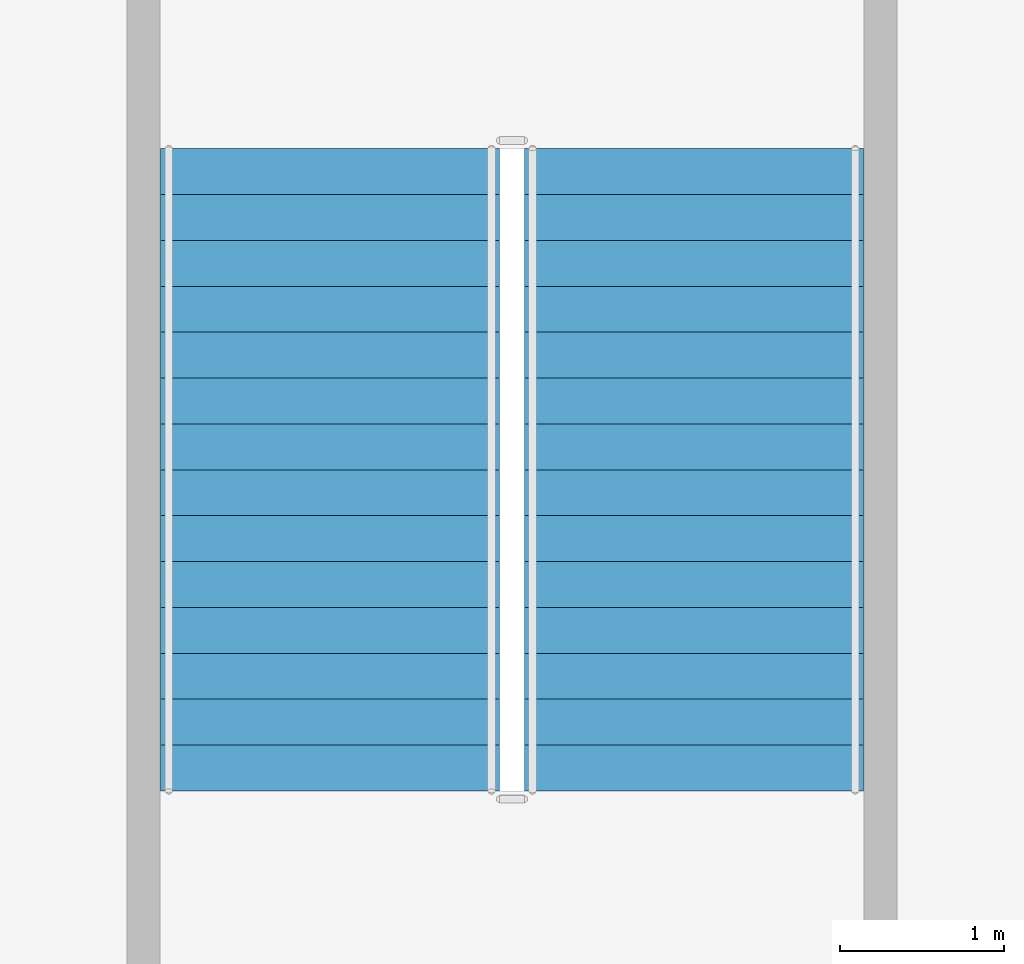
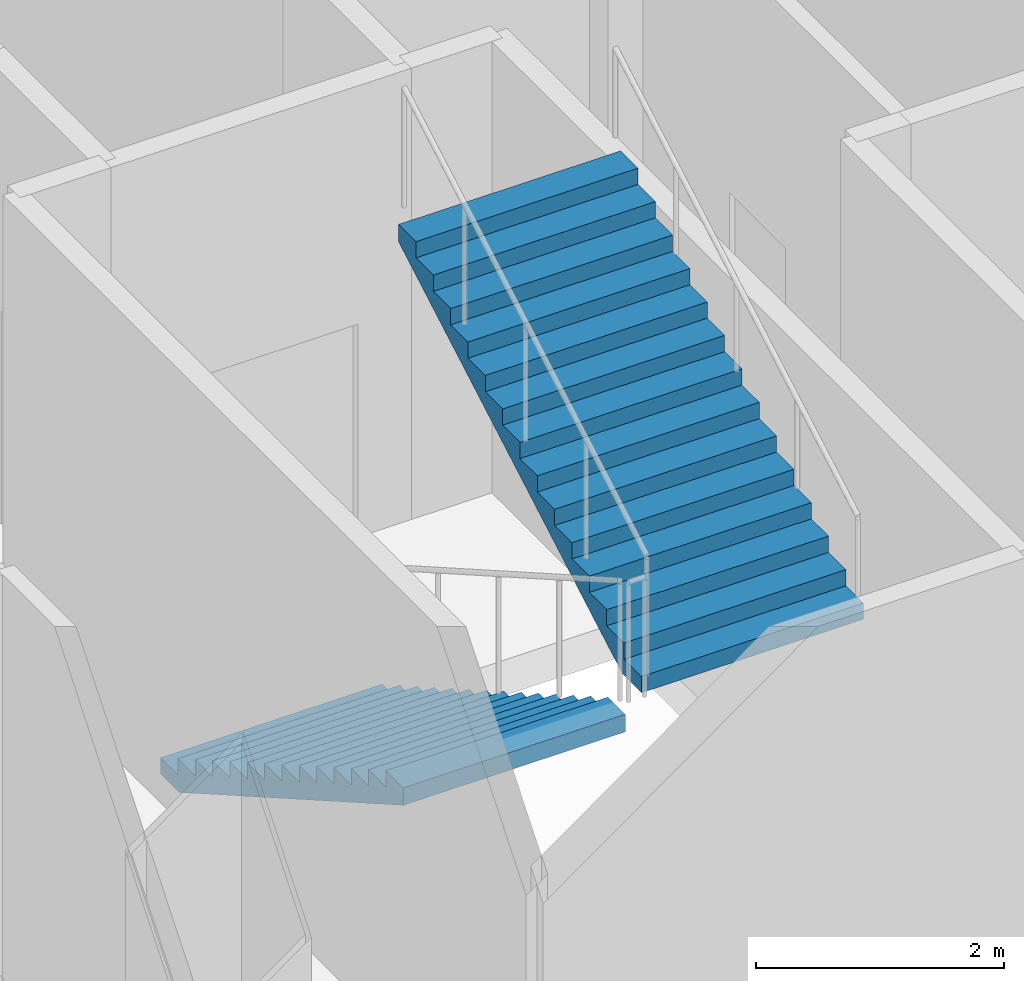
# One storey, part 16 of 23: 2 stair flights, 1 element without a shape of its own.
"""IFC4 building model written with IfcOpenShell, lengths in metres."""

from ifc_helpers import new_model, si_unit, direction, frame, origin, place, context, subcontext, project, spatial, polygons, material, type_object, element, aggregate, save


model = new_model("IFC4")

# Units and contexts
model_context = context("Model", 3, precision=1e-05, world=origin(), true_north=direction((0.0, 1.0)))
body_context = subcontext(model_context, "Body", "Model", "MODEL_VIEW")
ifc_project = project(units=[si_unit("LENGTHUNIT", "METRE"), si_unit("AREAUNIT", "SQUARE_METRE"), si_unit("VOLUMEUNIT", "CUBIC_METRE"), si_unit("PLANEANGLEUNIT", "RADIAN"), si_unit("MASSUNIT", "GRAM", prefix="KILO")], contexts=[model_context])

# Site, building, storey
site_placement = place(None, origin())
site = spatial("IfcSite", under=ifc_project, at=site_placement, CompositionType="ELEMENT")
building_placement = place(site_placement, origin())
building = spatial("IfcBuilding", under=site, at=building_placement, Name="Caravel Reach Hotel and Residences", CompositionType="ELEMENT")
storey_placement = place(building_placement, frame((0.0, 0.0, 24.0)))
storey = spatial("IfcBuildingStorey", under=building, at=storey_placement, Name="L04", CompositionType="ELEMENT", Elevation=24.0)

# Stair, stair flights
ifc_material_1 = material(Name="Concrete C40", Category="concrete")
stair_type = type_object("IfcStairType", Name="Core stair", PredefinedType="HALF_TURN_STAIR", material=ifc_material_1)
stair_placement = place(storey_placement, origin())
stair = element("IfcStair", 1, at=stair_placement, inside=storey, type_object=stair_type, Name="L04 Exit stair P2", PredefinedType="HALF_TURN_STAIR")
ifc_material_2 = material(Name="Concrete C40", Category="concrete")
stair_flight_type = type_object("IfcStairFlightType", Name="Core stair flight", PredefinedType="STRAIGHT", material=ifc_material_2)
stair_flight_1_placement = place(storey_placement, frame((52.889892578125, 41.010009765625, 0.0), z_axis=(0.0, 0.0, 1.0), x_axis=(0.0, -1.0, 0.0)))
stair_flight_1 = element("IfcStairFlight", 2, at=stair_flight_1_placement, type_object=stair_flight_type, Name="ST-P2 flight 1", NumberOfRisers=15, NumberOfTreads=14, PredefinedType="STRAIGHT", RiserHeight=0.16, TreadLength=0.28, context=body_context, shape_type="Tessellation", body=[
    polygons([(0.30213783309663755, 1.0350341796875, 0.0), (0.30213783309663755, 0.6900227864583333, 0.0), (0.30213783309663755, 0.34501139322916663, 0.0), (0.30213783309663755, 0.0, 0.0), (0.30213783309663755, -0.34501139322916674, 0.0), (0.30213783309663755, -0.6900227864583333, 0.0), (0.30213783309663755, -1.0350341796875, 0.0), (3.9210000000000003, 1.0350341796875, 2.0673498096590643), (3.9210000000000003, 0.6900227864583333, 2.0673498096590643), (3.9210000000000003, 0.34501139322916663, 2.0673498096590643), (3.9210000000000003, 0.0, 2.0673498096590643), (3.9210000000000003, -0.34501139322916674, 2.0673498096590643), (3.9210000000000003, -0.6900227864583333, 2.0673498096590643), (3.9210000000000003, -1.0350341796875, 2.0673498096590643), (3.9210000000000003, 1.0350341796875, 2.24), (3.9210000000000003, 0.6900227864583333, 2.24), (3.9210000000000003, 0.34501139322916663, 2.24), (3.9210000000000003, 0.0, 2.24), (3.9210000000000003, -0.34501139322916674, 2.24), (3.9210000000000003, -0.6900227864583333, 2.24), (3.9210000000000003, -1.0350341796875, 2.24), (3.6400000000000006, 1.0350341796875, 2.24), (3.6400000000000006, 0.6900227864583333, 2.24), (3.6400000000000006, 0.34501139322916663, 2.24), (3.6400000000000006, 0.0, 2.24), (3.6400000000000006, -0.34501139322916674, 2.24), (3.6400000000000006, -0.6900227864583333, 2.24), (3.6400000000000006, -1.0350341796875, 2.24), (3.6400000000000006, 1.0350341796875, 2.08), (3.6400000000000006, 0.6900227864583333, 2.08), (3.6400000000000006, 0.34501139322916663, 2.08), (3.6400000000000006, 0.0, 2.08), (3.6400000000000006, -0.34501139322916674, 2.08), (3.6400000000000006, -0.6900227864583333, 2.08), (3.6400000000000006, -1.0350341796875, 2.08), (3.3600000000000003, 1.0350341796875, 2.08), (3.3600000000000003, 0.6900227864583333, 2.08), (3.3600000000000003, 0.34501139322916663, 2.08), (3.3600000000000003, 0.0, 2.08), (3.3600000000000003, -0.34501139322916674, 2.08), (3.3600000000000003, -0.6900227864583333, 2.08), (3.3600000000000003, -1.0350341796875, 2.08), (3.3600000000000003, 1.0350341796875, 1.92), (3.3600000000000003, 0.6900227864583333, 1.92), (3.3600000000000003, 0.34501139322916663, 1.92), (3.3600000000000003, 0.0, 1.92), (3.3600000000000003, -0.34501139322916674, 1.92), (3.3600000000000003, -0.6900227864583333, 1.92), (3.3600000000000003, -1.0350341796875, 1.92), (3.08, 1.0350341796875, 1.92), (3.08, 0.6900227864583333, 1.92), (3.08, 0.34501139322916663, 1.92), (3.08, 0.0, 1.92), (3.08, -0.34501139322916674, 1.92), (3.08, -0.6900227864583333, 1.92), (3.08, -1.0350341796875, 1.92), (3.08, 1.0350341796875, 1.76), (3.08, 0.6900227864583333, 1.76), (3.08, 0.34501139322916663, 1.76), (3.08, 0.0, 1.76), (3.08, -0.34501139322916674, 1.76), (3.08, -0.6900227864583333, 1.76), (3.08, -1.0350341796875, 1.76), (2.8000000000000003, 1.0350341796875, 1.76), (2.8000000000000003, 0.6900227864583333, 1.76), (2.8000000000000003, 0.34501139322916663, 1.76), (2.8000000000000003, 0.0, 1.76), (2.8000000000000003, -0.34501139322916674, 1.76), (2.8000000000000003, -0.6900227864583333, 1.76), (2.8000000000000003, -1.0350341796875, 1.76), (2.8000000000000003, 1.0350341796875, 1.6), (2.8000000000000003, 0.6900227864583333, 1.6), (2.8000000000000003, 0.34501139322916663, 1.6), (2.8000000000000003, 0.0, 1.6), (2.8000000000000003, -0.34501139322916674, 1.6), (2.8000000000000003, -0.6900227864583333, 1.6), (2.8000000000000003, -1.0350341796875, 1.6), (2.5200000000000005, 1.0350341796875, 1.6), (2.5200000000000005, 0.6900227864583333, 1.6), (2.5200000000000005, 0.34501139322916663, 1.6), (2.5200000000000005, 0.0, 1.6), (2.5200000000000005, -0.34501139322916674, 1.6), (2.5200000000000005, -0.6900227864583333, 1.6), (2.5200000000000005, -1.0350341796875, 1.6), (2.5200000000000005, 1.0350341796875, 1.44), (2.5200000000000005, 0.6900227864583333, 1.44), (2.5200000000000005, 0.34501139322916663, 1.44), (2.5200000000000005, 0.0, 1.44), (2.5200000000000005, -0.34501139322916674, 1.44), (2.5200000000000005, -0.6900227864583333, 1.44), (2.5200000000000005, -1.0350341796875, 1.44), (2.24, 1.0350341796875, 1.44), (2.24, 0.6900227864583333, 1.44), (2.24, 0.34501139322916663, 1.44), (2.24, 0.0, 1.44), (2.24, -0.34501139322916674, 1.44), (2.24, -0.6900227864583333, 1.44), (2.24, -1.0350341796875, 1.44), (2.24, 1.0350341796875, 1.28), (2.24, 0.6900227864583333, 1.28), (2.24, 0.34501139322916663, 1.28), (2.24, 0.0, 1.28), (2.24, -0.34501139322916674, 1.28), (2.24, -0.6900227864583333, 1.28), (2.24, -1.0350341796875, 1.28), (1.9600000000000002, 1.0350341796875, 1.28), (1.9600000000000002, 0.6900227864583333, 1.28), (1.9600000000000002, 0.34501139322916663, 1.28), (1.9600000000000002, 0.0, 1.28), (1.9600000000000002, -0.34501139322916674, 1.28), (1.9600000000000002, -0.6900227864583333, 1.28), (1.9600000000000002, -1.0350341796875, 1.28), (1.9600000000000002, 1.0350341796875, 1.12), (1.9600000000000002, 0.6900227864583333, 1.12), (1.9600000000000002, 0.34501139322916663, 1.12), (1.9600000000000002, 0.0, 1.12), (1.9600000000000002, -0.34501139322916674, 1.12), (1.9600000000000002, -0.6900227864583333, 1.12), (1.9600000000000002, -1.0350341796875, 1.12), (1.6800000000000002, 1.0350341796875, 1.12), (1.6800000000000002, 0.6900227864583333, 1.12), (1.6800000000000002, 0.34501139322916663, 1.12), (1.6800000000000002, 0.0, 1.12), (1.6800000000000002, -0.34501139322916674, 1.12), (1.6800000000000002, -0.6900227864583333, 1.12), (1.6800000000000002, -1.0350341796875, 1.12), (1.6800000000000002, 1.0350341796875, 0.96), (1.6800000000000002, 0.6900227864583333, 0.96), (1.6800000000000002, 0.34501139322916663, 0.96), (1.6800000000000002, 0.0, 0.96), (1.6800000000000002, -0.34501139322916674, 0.96), (1.6800000000000002, -0.6900227864583333, 0.96), (1.6800000000000002, -1.0350341796875, 0.96), (1.4000000000000001, 1.0350341796875, 0.96), (1.4000000000000001, 0.6900227864583333, 0.96), (1.4000000000000001, 0.34501139322916663, 0.96), (1.4000000000000001, 0.0, 0.96), (1.4000000000000001, -0.34501139322916674, 0.96), (1.4000000000000001, -0.6900227864583333, 0.96), (1.4000000000000001, -1.0350341796875, 0.96), (1.4000000000000001, 1.0350341796875, 0.8), (1.4000000000000001, 0.6900227864583333, 0.8), (1.4000000000000001, 0.34501139322916663, 0.8), (1.4000000000000001, 0.0, 0.8), (1.4000000000000001, -0.34501139322916674, 0.8), (1.4000000000000001, -0.6900227864583333, 0.8), (1.4000000000000001, -1.0350341796875, 0.8), (1.12, 1.0350341796875, 0.8), (1.12, 0.6900227864583333, 0.8), (1.12, 0.34501139322916663, 0.8), (1.12, 0.0, 0.8), (1.12, -0.34501139322916674, 0.8), (1.12, -0.6900227864583333, 0.8), (1.12, -1.0350341796875, 0.8), (1.12, 1.0350341796875, 0.64), (1.12, 0.6900227864583333, 0.64), (1.12, 0.34501139322916663, 0.64), (1.12, 0.0, 0.64), (1.12, -0.34501139322916674, 0.64), (1.12, -0.6900227864583333, 0.64), (1.12, -1.0350341796875, 0.64), (0.8400000000000001, 1.0350341796875, 0.64), (0.8400000000000001, 0.6900227864583333, 0.64), (0.8400000000000001, 0.34501139322916663, 0.64), (0.8400000000000001, 0.0, 0.64), (0.8400000000000001, -0.34501139322916674, 0.64), (0.8400000000000001, -0.6900227864583333, 0.64), (0.8400000000000001, -1.0350341796875, 0.64), (0.8400000000000001, 1.0350341796875, 0.48), (0.8400000000000001, 0.6900227864583333, 0.48), (0.8400000000000001, 0.34501139322916663, 0.48), (0.8400000000000001, 0.0, 0.48), (0.8400000000000001, -0.34501139322916674, 0.48), (0.8400000000000001, -0.6900227864583333, 0.48), (0.8400000000000001, -1.0350341796875, 0.48), (0.56, 1.0350341796875, 0.48), (0.56, 0.6900227864583333, 0.48), (0.56, 0.34501139322916663, 0.48), (0.56, 0.0, 0.48), (0.56, -0.34501139322916674, 0.48), (0.56, -0.6900227864583333, 0.48), (0.56, -1.0350341796875, 0.48), (0.56, 1.0350341796875, 0.32), (0.56, 0.6900227864583333, 0.32), (0.56, 0.34501139322916663, 0.32), (0.56, 0.0, 0.32), (0.56, -0.34501139322916674, 0.32), (0.56, -0.6900227864583333, 0.32), (0.56, -1.0350341796875, 0.32), (0.28, 1.0350341796875, 0.32), (0.28, 0.6900227864583333, 0.32), (0.28, 0.34501139322916663, 0.32), (0.28, 0.0, 0.32), (0.28, -0.34501139322916674, 0.32), (0.28, -0.6900227864583333, 0.32), (0.28, -1.0350341796875, 0.32), (0.28, 1.0350341796875, 0.16), (0.28, 0.6900227864583333, 0.16), (0.28, 0.34501139322916663, 0.16), (0.28, 0.0, 0.16), (0.28, -0.34501139322916674, 0.16), (0.28, -0.6900227864583333, 0.16), (0.28, -1.0350341796875, 0.16), (-0.001, 1.0350341796875, 0.16), (-0.001, 0.6900227864583333, 0.16), (-0.001, 0.34501139322916663, 0.16), (-0.001, 0.0, 0.16), (-0.001, -0.34501139322916674, 0.16), (-0.001, -0.6900227864583333, 0.16), (-0.001, -1.0350341796875, 0.16), (-0.001, 1.0350341796875, 0.0), (-0.001, 0.6900227864583333, 0.0), (-0.001, 0.34501139322916663, 0.0), (-0.001, 0.0, 0.0), (-0.001, -0.34501139322916674, 0.0), (-0.001, -0.6900227864583333, 0.0), (-0.001, -1.0350341796875, 0.0)], [[[211, 204, 197, 190, 183, 176, 169, 162, 155, 148, 141, 134, 127, 120, 113, 106, 99, 92, 85, 78, 71, 64, 57, 50, 43, 36, 29, 22, 15, 8, 1]], [[7, 14, 21, 28, 35, 42, 49, 56, 63, 70, 77, 84, 91, 98, 105, 112, 119, 126, 133, 140, 147, 154, 161, 168, 175, 182, 189, 196, 203, 210, 217]], [[1, 8, 9, 2]], [[2, 9, 10, 3]], [[3, 10, 11, 4]], [[4, 11, 12, 5]], [[5, 12, 13, 6]], [[6, 13, 14, 7]], [[8, 15, 16, 9]], [[9, 16, 17, 10]], [[10, 17, 18, 11]], [[11, 18, 19, 12]], [[12, 19, 20, 13]], [[13, 20, 21, 14]], [[15, 22, 23, 16]], [[16, 23, 24, 17]], [[17, 24, 25, 18]], [[18, 25, 26, 19]], [[19, 26, 27, 20]], [[20, 27, 28, 21]], [[22, 29, 30, 23]], [[23, 30, 31, 24]], [[24, 31, 32, 25]], [[25, 32, 33, 26]], [[26, 33, 34, 27]], [[27, 34, 35, 28]], [[29, 36, 37, 30]], [[30, 37, 38, 31]], [[31, 38, 39, 32]], [[32, 39, 40, 33]], [[33, 40, 41, 34]], [[34, 41, 42, 35]], [[36, 43, 44, 37]], [[37, 44, 45, 38]], [[38, 45, 46, 39]], [[39, 46, 47, 40]], [[40, 47, 48, 41]], [[41, 48, 49, 42]], [[43, 50, 51, 44]], [[44, 51, 52, 45]], [[45, 52, 53, 46]], [[46, 53, 54, 47]], [[47, 54, 55, 48]], [[48, 55, 56, 49]], [[50, 57, 58, 51]], [[51, 58, 59, 52]], [[52, 59, 60, 53]], [[53, 60, 61, 54]], [[54, 61, 62, 55]], [[55, 62, 63, 56]], [[57, 64, 65, 58]], [[58, 65, 66, 59]], [[59, 66, 67, 60]], [[60, 67, 68, 61]], [[61, 68, 69, 62]], [[62, 69, 70, 63]], [[64, 71, 72, 65]], [[65, 72, 73, 66]], [[66, 73, 74, 67]], [[67, 74, 75, 68]], [[68, 75, 76, 69]], [[69, 76, 77, 70]], [[71, 78, 79, 72]], [[72, 79, 80, 73]], [[73, 80, 81, 74]], [[74, 81, 82, 75]], [[75, 82, 83, 76]], [[76, 83, 84, 77]], [[78, 85, 86, 79]], [[79, 86, 87, 80]], [[80, 87, 88, 81]], [[81, 88, 89, 82]], [[82, 89, 90, 83]], [[83, 90, 91, 84]], [[85, 92, 93, 86]], [[86, 93, 94, 87]], [[87, 94, 95, 88]], [[88, 95, 96, 89]], [[89, 96, 97, 90]], [[90, 97, 98, 91]], [[92, 99, 100, 93]], [[93, 100, 101, 94]], [[94, 101, 102, 95]], [[95, 102, 103, 96]], [[96, 103, 104, 97]], [[97, 104, 105, 98]], [[99, 106, 107, 100]], [[100, 107, 108, 101]], [[101, 108, 109, 102]], [[102, 109, 110, 103]], [[103, 110, 111, 104]], [[104, 111, 112, 105]], [[106, 113, 114, 107]], [[107, 114, 115, 108]], [[108, 115, 116, 109]], [[109, 116, 117, 110]], [[110, 117, 118, 111]], [[111, 118, 119, 112]], [[113, 120, 121, 114]], [[114, 121, 122, 115]], [[115, 122, 123, 116]], [[116, 123, 124, 117]], [[117, 124, 125, 118]], [[118, 125, 126, 119]], [[120, 127, 128, 121]], [[121, 128, 129, 122]], [[122, 129, 130, 123]], [[123, 130, 131, 124]], [[124, 131, 132, 125]], [[125, 132, 133, 126]], [[127, 134, 135, 128]], [[128, 135, 136, 129]], [[129, 136, 137, 130]], [[130, 137, 138, 131]], [[131, 138, 139, 132]], [[132, 139, 140, 133]], [[134, 141, 142, 135]], [[135, 142, 143, 136]], [[136, 143, 144, 137]], [[137, 144, 145, 138]], [[138, 145, 146, 139]], [[139, 146, 147, 140]], [[141, 148, 149, 142]], [[142, 149, 150, 143]], [[143, 150, 151, 144]], [[144, 151, 152, 145]], [[145, 152, 153, 146]], [[146, 153, 154, 147]], [[148, 155, 156, 149]], [[149, 156, 157, 150]], [[150, 157, 158, 151]], [[151, 158, 159, 152]], [[152, 159, 160, 153]], [[153, 160, 161, 154]], [[155, 162, 163, 156]], [[156, 163, 164, 157]], [[157, 164, 165, 158]], [[158, 165, 166, 159]], [[159, 166, 167, 160]], [[160, 167, 168, 161]], [[162, 169, 170, 163]], [[163, 170, 171, 164]], [[164, 171, 172, 165]], [[165, 172, 173, 166]], [[166, 173, 174, 167]], [[167, 174, 175, 168]], [[169, 176, 177, 170]], [[170, 177, 178, 171]], [[171, 178, 179, 172]], [[172, 179, 180, 173]], [[173, 180, 181, 174]], [[174, 181, 182, 175]], [[176, 183, 184, 177]], [[177, 184, 185, 178]], [[178, 185, 186, 179]], [[179, 186, 187, 180]], [[180, 187, 188, 181]], [[181, 188, 189, 182]], [[183, 190, 191, 184]], [[184, 191, 192, 185]], [[185, 192, 193, 186]], [[186, 193, 194, 187]], [[187, 194, 195, 188]], [[188, 195, 196, 189]], [[190, 197, 198, 191]], [[191, 198, 199, 192]], [[192, 199, 200, 193]], [[193, 200, 201, 194]], [[194, 201, 202, 195]], [[195, 202, 203, 196]], [[197, 204, 205, 198]], [[198, 205, 206, 199]], [[199, 206, 207, 200]], [[200, 207, 208, 201]], [[201, 208, 209, 202]], [[202, 209, 210, 203]], [[204, 211, 212, 205]], [[205, 212, 213, 206]], [[206, 213, 214, 207]], [[207, 214, 215, 208]], [[208, 215, 216, 209]], [[209, 216, 217, 210]], [[211, 1, 2, 212]], [[212, 2, 3, 213]], [[213, 3, 4, 214]], [[214, 4, 5, 215]], [[215, 5, 6, 216]], [[216, 6, 7, 217]]], closed=True),
])
stair_flight_2_placement = place(storey_placement, frame((55.110107421875, 37.090087890625, 2.39990234375), z_axis=(0.0, 0.0, 1.0), x_axis=(0.0, 1.0, 0.0)))
stair_flight_2 = element("IfcStairFlight", 3, at=stair_flight_2_placement, type_object=stair_flight_type, Name="ST-P2 flight 2", NumberOfRisers=15, NumberOfTreads=14, PredefinedType="STRAIGHT", RiserHeight=0.16, TreadLength=0.28, context=body_context, shape_type="Tessellation", body=[
    polygons([(0.30213783309663755, 1.0350341796875, 0.0), (0.30213783309663755, 0.6900227864583333, 0.0), (0.30213783309663755, 0.34501139322916663, 0.0), (0.30213783309663755, 0.0, 0.0), (0.30213783309663755, -0.34501139322916674, 0.0), (0.30213783309663755, -0.6900227864583333, 0.0), (0.30213783309663755, -1.0350341796875, 0.0), (3.9210000000000003, 1.0350341796875, 2.0673498096590643), (3.9210000000000003, 0.6900227864583333, 2.0673498096590643), (3.9210000000000003, 0.34501139322916663, 2.0673498096590643), (3.9210000000000003, 0.0, 2.0673498096590643), (3.9210000000000003, -0.34501139322916674, 2.0673498096590643), (3.9210000000000003, -0.6900227864583333, 2.0673498096590643), (3.9210000000000003, -1.0350341796875, 2.0673498096590643), (3.9210000000000003, 1.0350341796875, 2.24), (3.9210000000000003, 0.6900227864583333, 2.24), (3.9210000000000003, 0.34501139322916663, 2.24), (3.9210000000000003, 0.0, 2.24), (3.9210000000000003, -0.34501139322916674, 2.24), (3.9210000000000003, -0.6900227864583333, 2.24), (3.9210000000000003, -1.0350341796875, 2.24), (3.6400000000000006, 1.0350341796875, 2.24), (3.6400000000000006, 0.6900227864583333, 2.24), (3.6400000000000006, 0.34501139322916663, 2.24), (3.6400000000000006, 0.0, 2.24), (3.6400000000000006, -0.34501139322916674, 2.24), (3.6400000000000006, -0.6900227864583333, 2.24), (3.6400000000000006, -1.0350341796875, 2.24), (3.6400000000000006, 1.0350341796875, 2.08), (3.6400000000000006, 0.6900227864583333, 2.08), (3.6400000000000006, 0.34501139322916663, 2.08), (3.6400000000000006, 0.0, 2.08), (3.6400000000000006, -0.34501139322916674, 2.08), (3.6400000000000006, -0.6900227864583333, 2.08), (3.6400000000000006, -1.0350341796875, 2.08), (3.3600000000000003, 1.0350341796875, 2.08), (3.3600000000000003, 0.6900227864583333, 2.08), (3.3600000000000003, 0.34501139322916663, 2.08), (3.3600000000000003, 0.0, 2.08), (3.3600000000000003, -0.34501139322916674, 2.08), (3.3600000000000003, -0.6900227864583333, 2.08), (3.3600000000000003, -1.0350341796875, 2.08), (3.3600000000000003, 1.0350341796875, 1.92), (3.3600000000000003, 0.6900227864583333, 1.92), (3.3600000000000003, 0.34501139322916663, 1.92), (3.3600000000000003, 0.0, 1.92), (3.3600000000000003, -0.34501139322916674, 1.92), (3.3600000000000003, -0.6900227864583333, 1.92), (3.3600000000000003, -1.0350341796875, 1.92), (3.08, 1.0350341796875, 1.92), (3.08, 0.6900227864583333, 1.92), (3.08, 0.34501139322916663, 1.92), (3.08, 0.0, 1.92), (3.08, -0.34501139322916674, 1.92), (3.08, -0.6900227864583333, 1.92), (3.08, -1.0350341796875, 1.92), (3.08, 1.0350341796875, 1.76), (3.08, 0.6900227864583333, 1.76), (3.08, 0.34501139322916663, 1.76), (3.08, 0.0, 1.76), (3.08, -0.34501139322916674, 1.76), (3.08, -0.6900227864583333, 1.76), (3.08, -1.0350341796875, 1.76), (2.8000000000000003, 1.0350341796875, 1.76), (2.8000000000000003, 0.6900227864583333, 1.76), (2.8000000000000003, 0.34501139322916663, 1.76), (2.8000000000000003, 0.0, 1.76), (2.8000000000000003, -0.34501139322916674, 1.76), (2.8000000000000003, -0.6900227864583333, 1.76), (2.8000000000000003, -1.0350341796875, 1.76), (2.8000000000000003, 1.0350341796875, 1.6), (2.8000000000000003, 0.6900227864583333, 1.6), (2.8000000000000003, 0.34501139322916663, 1.6), (2.8000000000000003, 0.0, 1.6), (2.8000000000000003, -0.34501139322916674, 1.6), (2.8000000000000003, -0.6900227864583333, 1.6), (2.8000000000000003, -1.0350341796875, 1.6), (2.5200000000000005, 1.0350341796875, 1.6), (2.5200000000000005, 0.6900227864583333, 1.6), (2.5200000000000005, 0.34501139322916663, 1.6), (2.5200000000000005, 0.0, 1.6), (2.5200000000000005, -0.34501139322916674, 1.6), (2.5200000000000005, -0.6900227864583333, 1.6), (2.5200000000000005, -1.0350341796875, 1.6), (2.5200000000000005, 1.0350341796875, 1.44), (2.5200000000000005, 0.6900227864583333, 1.44), (2.5200000000000005, 0.34501139322916663, 1.44), (2.5200000000000005, 0.0, 1.44), (2.5200000000000005, -0.34501139322916674, 1.44), (2.5200000000000005, -0.6900227864583333, 1.44), (2.5200000000000005, -1.0350341796875, 1.44), (2.24, 1.0350341796875, 1.44), (2.24, 0.6900227864583333, 1.44), (2.24, 0.34501139322916663, 1.44), (2.24, 0.0, 1.44), (2.24, -0.34501139322916674, 1.44), (2.24, -0.6900227864583333, 1.44), (2.24, -1.0350341796875, 1.44), (2.24, 1.0350341796875, 1.28), (2.24, 0.6900227864583333, 1.28), (2.24, 0.34501139322916663, 1.28), (2.24, 0.0, 1.28), (2.24, -0.34501139322916674, 1.28), (2.24, -0.6900227864583333, 1.28), (2.24, -1.0350341796875, 1.28), (1.9600000000000002, 1.0350341796875, 1.28), (1.9600000000000002, 0.6900227864583333, 1.28), (1.9600000000000002, 0.34501139322916663, 1.28), (1.9600000000000002, 0.0, 1.28), (1.9600000000000002, -0.34501139322916674, 1.28), (1.9600000000000002, -0.6900227864583333, 1.28), (1.9600000000000002, -1.0350341796875, 1.28), (1.9600000000000002, 1.0350341796875, 1.12), (1.9600000000000002, 0.6900227864583333, 1.12), (1.9600000000000002, 0.34501139322916663, 1.12), (1.9600000000000002, 0.0, 1.12), (1.9600000000000002, -0.34501139322916674, 1.12), (1.9600000000000002, -0.6900227864583333, 1.12), (1.9600000000000002, -1.0350341796875, 1.12), (1.6800000000000002, 1.0350341796875, 1.12), (1.6800000000000002, 0.6900227864583333, 1.12), (1.6800000000000002, 0.34501139322916663, 1.12), (1.6800000000000002, 0.0, 1.12), (1.6800000000000002, -0.34501139322916674, 1.12), (1.6800000000000002, -0.6900227864583333, 1.12), (1.6800000000000002, -1.0350341796875, 1.12), (1.6800000000000002, 1.0350341796875, 0.96), (1.6800000000000002, 0.6900227864583333, 0.96), (1.6800000000000002, 0.34501139322916663, 0.96), (1.6800000000000002, 0.0, 0.96), (1.6800000000000002, -0.34501139322916674, 0.96), (1.6800000000000002, -0.6900227864583333, 0.96), (1.6800000000000002, -1.0350341796875, 0.96), (1.4000000000000001, 1.0350341796875, 0.96), (1.4000000000000001, 0.6900227864583333, 0.96), (1.4000000000000001, 0.34501139322916663, 0.96), (1.4000000000000001, 0.0, 0.96), (1.4000000000000001, -0.34501139322916674, 0.96), (1.4000000000000001, -0.6900227864583333, 0.96), (1.4000000000000001, -1.0350341796875, 0.96), (1.4000000000000001, 1.0350341796875, 0.8), (1.4000000000000001, 0.6900227864583333, 0.8), (1.4000000000000001, 0.34501139322916663, 0.8), (1.4000000000000001, 0.0, 0.8), (1.4000000000000001, -0.34501139322916674, 0.8), (1.4000000000000001, -0.6900227864583333, 0.8), (1.4000000000000001, -1.0350341796875, 0.8), (1.12, 1.0350341796875, 0.8), (1.12, 0.6900227864583333, 0.8), (1.12, 0.34501139322916663, 0.8), (1.12, 0.0, 0.8), (1.12, -0.34501139322916674, 0.8), (1.12, -0.6900227864583333, 0.8), (1.12, -1.0350341796875, 0.8), (1.12, 1.0350341796875, 0.64), (1.12, 0.6900227864583333, 0.64), (1.12, 0.34501139322916663, 0.64), (1.12, 0.0, 0.64), (1.12, -0.34501139322916674, 0.64), (1.12, -0.6900227864583333, 0.64), (1.12, -1.0350341796875, 0.64), (0.8400000000000001, 1.0350341796875, 0.64), (0.8400000000000001, 0.6900227864583333, 0.64), (0.8400000000000001, 0.34501139322916663, 0.64), (0.8400000000000001, 0.0, 0.64), (0.8400000000000001, -0.34501139322916674, 0.64), (0.8400000000000001, -0.6900227864583333, 0.64), (0.8400000000000001, -1.0350341796875, 0.64), (0.8400000000000001, 1.0350341796875, 0.48), (0.8400000000000001, 0.6900227864583333, 0.48), (0.8400000000000001, 0.34501139322916663, 0.48), (0.8400000000000001, 0.0, 0.48), (0.8400000000000001, -0.34501139322916674, 0.48), (0.8400000000000001, -0.6900227864583333, 0.48), (0.8400000000000001, -1.0350341796875, 0.48), (0.56, 1.0350341796875, 0.48), (0.56, 0.6900227864583333, 0.48), (0.56, 0.34501139322916663, 0.48), (0.56, 0.0, 0.48), (0.56, -0.34501139322916674, 0.48), (0.56, -0.6900227864583333, 0.48), (0.56, -1.0350341796875, 0.48), (0.56, 1.0350341796875, 0.32), (0.56, 0.6900227864583333, 0.32), (0.56, 0.34501139322916663, 0.32), (0.56, 0.0, 0.32), (0.56, -0.34501139322916674, 0.32), (0.56, -0.6900227864583333, 0.32), (0.56, -1.0350341796875, 0.32), (0.28, 1.0350341796875, 0.32), (0.28, 0.6900227864583333, 0.32), (0.28, 0.34501139322916663, 0.32), (0.28, 0.0, 0.32), (0.28, -0.34501139322916674, 0.32), (0.28, -0.6900227864583333, 0.32), (0.28, -1.0350341796875, 0.32), (0.28, 1.0350341796875, 0.16), (0.28, 0.6900227864583333, 0.16), (0.28, 0.34501139322916663, 0.16), (0.28, 0.0, 0.16), (0.28, -0.34501139322916674, 0.16), (0.28, -0.6900227864583333, 0.16), (0.28, -1.0350341796875, 0.16), (-0.001, 1.0350341796875, 0.16), (-0.001, 0.6900227864583333, 0.16), (-0.001, 0.34501139322916663, 0.16), (-0.001, 0.0, 0.16), (-0.001, -0.34501139322916674, 0.16), (-0.001, -0.6900227864583333, 0.16), (-0.001, -1.0350341796875, 0.16), (-0.001, 1.0350341796875, 0.0), (-0.001, 0.6900227864583333, 0.0), (-0.001, 0.34501139322916663, 0.0), (-0.001, 0.0, 0.0), (-0.001, -0.34501139322916674, 0.0), (-0.001, -0.6900227864583333, 0.0), (-0.001, -1.0350341796875, 0.0)], [[[211, 204, 197, 190, 183, 176, 169, 162, 155, 148, 141, 134, 127, 120, 113, 106, 99, 92, 85, 78, 71, 64, 57, 50, 43, 36, 29, 22, 15, 8, 1]], [[7, 14, 21, 28, 35, 42, 49, 56, 63, 70, 77, 84, 91, 98, 105, 112, 119, 126, 133, 140, 147, 154, 161, 168, 175, 182, 189, 196, 203, 210, 217]], [[1, 8, 9, 2]], [[2, 9, 10, 3]], [[3, 10, 11, 4]], [[4, 11, 12, 5]], [[5, 12, 13, 6]], [[6, 13, 14, 7]], [[8, 15, 16, 9]], [[9, 16, 17, 10]], [[10, 17, 18, 11]], [[11, 18, 19, 12]], [[12, 19, 20, 13]], [[13, 20, 21, 14]], [[15, 22, 23, 16]], [[16, 23, 24, 17]], [[17, 24, 25, 18]], [[18, 25, 26, 19]], [[19, 26, 27, 20]], [[20, 27, 28, 21]], [[22, 29, 30, 23]], [[23, 30, 31, 24]], [[24, 31, 32, 25]], [[25, 32, 33, 26]], [[26, 33, 34, 27]], [[27, 34, 35, 28]], [[29, 36, 37, 30]], [[30, 37, 38, 31]], [[31, 38, 39, 32]], [[32, 39, 40, 33]], [[33, 40, 41, 34]], [[34, 41, 42, 35]], [[36, 43, 44, 37]], [[37, 44, 45, 38]], [[38, 45, 46, 39]], [[39, 46, 47, 40]], [[40, 47, 48, 41]], [[41, 48, 49, 42]], [[43, 50, 51, 44]], [[44, 51, 52, 45]], [[45, 52, 53, 46]], [[46, 53, 54, 47]], [[47, 54, 55, 48]], [[48, 55, 56, 49]], [[50, 57, 58, 51]], [[51, 58, 59, 52]], [[52, 59, 60, 53]], [[53, 60, 61, 54]], [[54, 61, 62, 55]], [[55, 62, 63, 56]], [[57, 64, 65, 58]], [[58, 65, 66, 59]], [[59, 66, 67, 60]], [[60, 67, 68, 61]], [[61, 68, 69, 62]], [[62, 69, 70, 63]], [[64, 71, 72, 65]], [[65, 72, 73, 66]], [[66, 73, 74, 67]], [[67, 74, 75, 68]], [[68, 75, 76, 69]], [[69, 76, 77, 70]], [[71, 78, 79, 72]], [[72, 79, 80, 73]], [[73, 80, 81, 74]], [[74, 81, 82, 75]], [[75, 82, 83, 76]], [[76, 83, 84, 77]], [[78, 85, 86, 79]], [[79, 86, 87, 80]], [[80, 87, 88, 81]], [[81, 88, 89, 82]], [[82, 89, 90, 83]], [[83, 90, 91, 84]], [[85, 92, 93, 86]], [[86, 93, 94, 87]], [[87, 94, 95, 88]], [[88, 95, 96, 89]], [[89, 96, 97, 90]], [[90, 97, 98, 91]], [[92, 99, 100, 93]], [[93, 100, 101, 94]], [[94, 101, 102, 95]], [[95, 102, 103, 96]], [[96, 103, 104, 97]], [[97, 104, 105, 98]], [[99, 106, 107, 100]], [[100, 107, 108, 101]], [[101, 108, 109, 102]], [[102, 109, 110, 103]], [[103, 110, 111, 104]], [[104, 111, 112, 105]], [[106, 113, 114, 107]], [[107, 114, 115, 108]], [[108, 115, 116, 109]], [[109, 116, 117, 110]], [[110, 117, 118, 111]], [[111, 118, 119, 112]], [[113, 120, 121, 114]], [[114, 121, 122, 115]], [[115, 122, 123, 116]], [[116, 123, 124, 117]], [[117, 124, 125, 118]], [[118, 125, 126, 119]], [[120, 127, 128, 121]], [[121, 128, 129, 122]], [[122, 129, 130, 123]], [[123, 130, 131, 124]], [[124, 131, 132, 125]], [[125, 132, 133, 126]], [[127, 134, 135, 128]], [[128, 135, 136, 129]], [[129, 136, 137, 130]], [[130, 137, 138, 131]], [[131, 138, 139, 132]], [[132, 139, 140, 133]], [[134, 141, 142, 135]], [[135, 142, 143, 136]], [[136, 143, 144, 137]], [[137, 144, 145, 138]], [[138, 145, 146, 139]], [[139, 146, 147, 140]], [[141, 148, 149, 142]], [[142, 149, 150, 143]], [[143, 150, 151, 144]], [[144, 151, 152, 145]], [[145, 152, 153, 146]], [[146, 153, 154, 147]], [[148, 155, 156, 149]], [[149, 156, 157, 150]], [[150, 157, 158, 151]], [[151, 158, 159, 152]], [[152, 159, 160, 153]], [[153, 160, 161, 154]], [[155, 162, 163, 156]], [[156, 163, 164, 157]], [[157, 164, 165, 158]], [[158, 165, 166, 159]], [[159, 166, 167, 160]], [[160, 167, 168, 161]], [[162, 169, 170, 163]], [[163, 170, 171, 164]], [[164, 171, 172, 165]], [[165, 172, 173, 166]], [[166, 173, 174, 167]], [[167, 174, 175, 168]], [[169, 176, 177, 170]], [[170, 177, 178, 171]], [[171, 178, 179, 172]], [[172, 179, 180, 173]], [[173, 180, 181, 174]], [[174, 181, 182, 175]], [[176, 183, 184, 177]], [[177, 184, 185, 178]], [[178, 185, 186, 179]], [[179, 186, 187, 180]], [[180, 187, 188, 181]], [[181, 188, 189, 182]], [[183, 190, 191, 184]], [[184, 191, 192, 185]], [[185, 192, 193, 186]], [[186, 193, 194, 187]], [[187, 194, 195, 188]], [[188, 195, 196, 189]], [[190, 197, 198, 191]], [[191, 198, 199, 192]], [[192, 199, 200, 193]], [[193, 200, 201, 194]], [[194, 201, 202, 195]], [[195, 202, 203, 196]], [[197, 204, 205, 198]], [[198, 205, 206, 199]], [[199, 206, 207, 200]], [[200, 207, 208, 201]], [[201, 208, 209, 202]], [[202, 209, 210, 203]], [[204, 211, 212, 205]], [[205, 212, 213, 206]], [[206, 213, 214, 207]], [[207, 214, 215, 208]], [[208, 215, 216, 209]], [[209, 216, 217, 210]], [[211, 1, 2, 212]], [[212, 2, 3, 213]], [[213, 3, 4, 214]], [[214, 4, 5, 215]], [[215, 5, 6, 216]], [[216, 6, 7, 217]]], closed=True),
])
aggregate(stair, [stair_flight_1, stair_flight_2])

save(model, "model.ifc")
